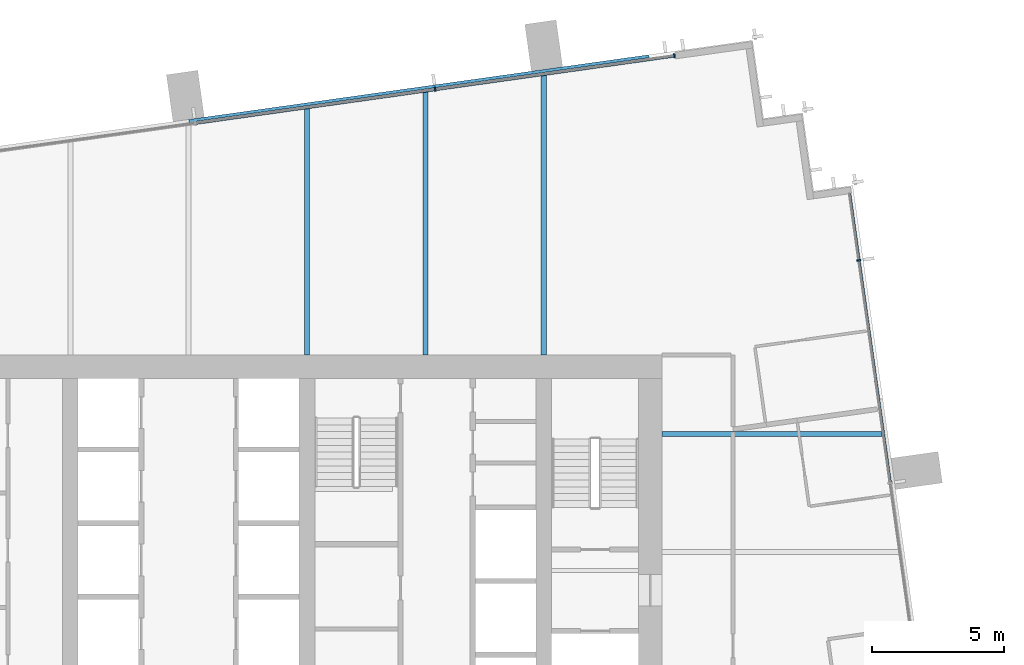
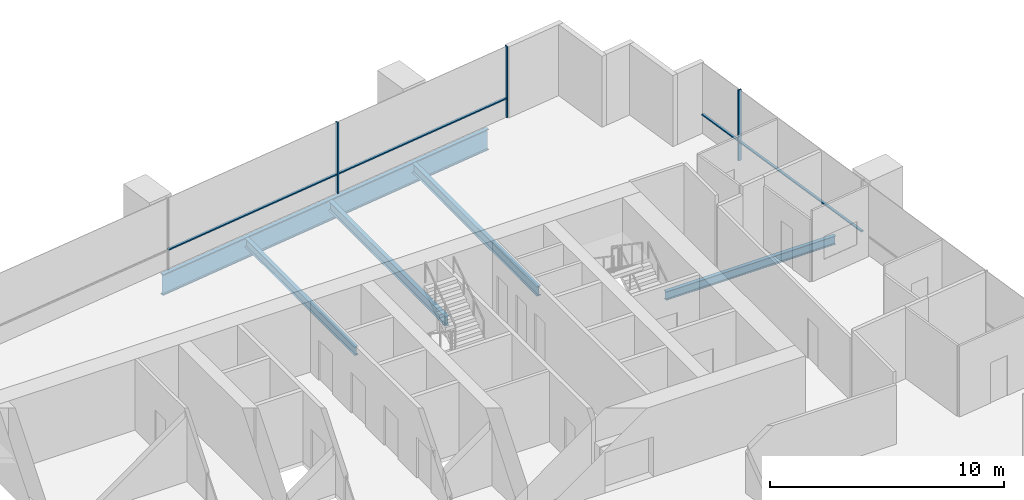
# One storey, part 7 of 14: 7 members, 5 beams, 2 elements without a shape of their own.
"""IFC4 building model written with IfcOpenShell, lengths in metres."""

from ifc_helpers import new_model, si_unit, direction, frame, origin, origin_2d, place, context, subcontext, project, spatial, rectangle, i_section, extrude, material, material_profile, profile_set, type_object, element, aggregate, save


model = new_model("IFC4")

# Units and contexts
model_context = context("Model", 3, precision=1e-05, world=origin(), true_north=direction((0.0, 1.0)))
body_context = subcontext(model_context, "Body", "Model", "MODEL_VIEW")
ifc_project = project(units=[si_unit("LENGTHUNIT", "METRE"), si_unit("AREAUNIT", "SQUARE_METRE"), si_unit("VOLUMEUNIT", "CUBIC_METRE"), si_unit("PLANEANGLEUNIT", "RADIAN"), si_unit("MASSUNIT", "GRAM", prefix="KILO")], contexts=[model_context])

# Site, building, storey
site_placement = place(None, origin())
site = spatial("IfcSite", under=ifc_project, at=site_placement, CompositionType="ELEMENT")
building_placement = place(site_placement, origin())
building = spatial("IfcBuilding", under=site, at=building_placement, Name="Rattan Terrace Tower", CompositionType="ELEMENT")
storey_placement = place(building_placement, frame((0.0, 0.0, 184.10009765625)))
storey = spatial("IfcBuildingStorey", under=building, at=storey_placement, Name="L42", CompositionType="ELEMENT", Elevation=184.10009765625)

# Curtain wall, member
ifc_material_1 = material(Name="Aluminium and glass", Category="aluminium")
curtain_wall_type = type_object("IfcCurtainWallType", Name="Facade Unitised Curtain Wall", PredefinedType="NOTDEFINED", material=ifc_material_1)
curtain_wall_1_placement = place(storey_placement, origin())
curtain_wall_1 = element("IfcCurtainWall", 1, at=curtain_wall_1_placement, inside=storey, type_object=curtain_wall_type, Name="Curtain wall L42-1", PredefinedType="NOTDEFINED")
ifc_material_2 = material(Name="Aluminium", Category="aluminium")
ifc_material_profile_1 = material_profile(ifc_material_2, rectangle(XDim=0.06005859375, YDim=0.159912109375, at=origin_2d()), Name="Aluminium 60x160")
ifc_profile_set_1 = profile_set([ifc_material_profile_1], Name="Aluminium")
member_type_1 = type_object("IfcMemberType", Name="Facade CW Mullion 60x160", PredefinedType="MULLION", material=ifc_profile_set_1)
member_1_placement = place(storey_placement, frame((25.477294921875, 11.092529296875, 0.0), z_axis=(0.0, 0.0, 1.0), x_axis=(-0.139190856006, 0.99026557327, 0.0)))
member_1 = element("IfcMember", 2, at=member_1_placement, type_object=member_type_1, Name="Mullion cwl-L42-001.4", PredefinedType="MULLION", context=body_context, shape_type="SweptSolid", body=[
    extrude(rectangle(XDim=0.06005859375, YDim=0.159912109375, at=origin_2d()), origin(), (0.0, 0.0, 1.0), 3.699951171875),
])

# Curtain wall, members
curtain_wall_2_placement = place(storey_placement, origin())
curtain_wall_2 = element("IfcCurtainWall", 3, at=curtain_wall_2_placement, inside=storey, type_object=curtain_wall_type, Name="Curtain wall L42-2", PredefinedType="NOTDEFINED")
member_2_placement = place(storey_placement, frame((18.467041015625, 18.87255859375, 0.0), z_axis=(0.0, 0.0, 1.0), x_axis=(-0.990269702686, -0.139161474347, 0.0)))
member_2 = element("IfcMember", 4, at=member_2_placement, type_object=member_type_1, Name="Mullion cwl-L42-002.1", PredefinedType="MULLION", context=body_context, shape_type="SweptSolid", body=[
    extrude(rectangle(XDim=0.06005859375, YDim=0.159912109375, at=origin_2d()), origin(), (0.0, 0.0, 1.0), 3.699951171875),
])
member_3_placement = place(storey_placement, frame((9.373291015625, 17.594482421875, 0.0), z_axis=(0.0, 0.0, 1.0), x_axis=(-0.990269702686, -0.139161474347, 0.0)))
member_3 = element("IfcMember", 5, at=member_3_placement, type_object=member_type_1, Name="Mullion cwl-L42-002.2", PredefinedType="MULLION", context=body_context, shape_type="SweptSolid", body=[
    extrude(rectangle(XDim=0.06005859375, YDim=0.159912109375, at=origin_2d()), origin(), (0.0, 0.0, 1.0), 3.699951171875),
])

# Member
ifc_material_3 = material(Name="Aluminium", Category="aluminium")
ifc_material_profile_2 = material_profile(ifc_material_3, rectangle(XDim=0.1201171875, YDim=0.06005859375, at=origin_2d()), Name="Aluminium 120x60")
ifc_profile_set_2 = profile_set([ifc_material_profile_2], Name="Aluminium")
member_type_2 = type_object("IfcMemberType", Name="Facade CW Transom 120x60", PredefinedType="USERDEFINED", material=ifc_profile_set_2)
member_4_placement = place(storey_placement, frame((26.663330078125, 2.655517578125, 1.0), z_axis=(-0.139178607515, 0.99026729483, 0.0), x_axis=(-0.99026729483, -0.139178607515, 0.0)))
member_4 = element("IfcMember", 6, at=member_4_placement, type_object=member_type_2, Name="Transom cwl-L42-001.3", ObjectType="TRANSOM", PredefinedType="USERDEFINED", context=body_context, shape_type="SweptSolid", body=[
    extrude(rectangle(XDim=0.1201171875, YDim=0.06005859375, at=origin_2d()), origin(), (0.0, 0.0, 1.0), 8.489990234375),
])

member_5_placement = place(storey_placement, frame((25.47314453125, 11.122314453125, 1.0), z_axis=(-0.139106713562, 0.990277396613, 0.0), x_axis=(-0.990277396613, -0.139106713562, 0.0)))
member_5 = element("IfcMember", 7, at=member_5_placement, type_object=member_type_2, Name="Transom cwl-L42-001.4", ObjectType="TRANSOM", PredefinedType="USERDEFINED", context=body_context, shape_type="SweptSolid", body=[
    extrude(rectangle(XDim=0.1201171875, YDim=0.06005859375, at=origin_2d()), origin(), (0.0, 0.0, 1.0), 2.525634765625),
])

aggregate(curtain_wall_1, [member_1, member_4, member_5])

member_6_placement = place(storey_placement, frame((18.437255859375, 18.868408203125, 1.0), z_axis=(-0.990266494002, -0.139184305354, 0.0), x_axis=(0.139184305354, -0.990266494002, 0.0)))
member_6 = element("IfcMember", 8, at=member_6_placement, type_object=member_type_2, Name="Transom cwl-L42-002.1", ObjectType="TRANSOM", PredefinedType="USERDEFINED", context=body_context, shape_type="SweptSolid", body=[
    extrude(rectangle(XDim=0.1201171875, YDim=0.06005859375, at=origin_2d()), origin(), (0.0, 0.0, 1.0), 9.123046875),
])

member_7_placement = place(storey_placement, frame((9.343505859375, 17.59033203125, 1.0), z_axis=(-0.990270711765, -0.139154293575, 0.0), x_axis=(0.139154293575, -0.990270711765, 0.0)))
member_7 = element("IfcMember", 9, at=member_7_placement, type_object=member_type_2, Name="Transom cwl-L42-002.2", ObjectType="TRANSOM", PredefinedType="USERDEFINED", context=body_context, shape_type="SweptSolid", body=[
    extrude(rectangle(XDim=0.1201171875, YDim=0.06005859375, at=origin_2d()), origin(), (0.0, 0.0, 1.0), 9.153076171875),
])

aggregate(curtain_wall_2, [member_2, member_3, member_6, member_7])

# Beams
ifc_material_4 = material(Name="Steel S460", Category="steel")
ifc_material_profile_3 = material_profile(ifc_material_4, i_section(OverallWidth=0.179931640625, OverallDepth=1.10009765625, WebThickness=0.01611328125, FlangeThickness=0.050048828125, at=origin_2d()), Name="PG 1100x180-16-50")
ifc_profile_set_3 = profile_set([ifc_material_profile_3], Name="Steel S460")
beam_type_1 = type_object("IfcBeamType", Name="Frame edge girder PG 1100x180-16-50", PredefinedType="SPANDREL", material=ifc_profile_set_3)
beam_1_placement = place(storey_placement, frame((17.4990234375, 18.818115234375, -0.75), z_axis=(-0.990264173921, -0.139200811234, 0.0), x_axis=(0.139200811234, -0.990264173921, 0.0)))
element("IfcBeam", 10, at=beam_1_placement, inside=storey, type_object=beam_type_1, Name="gdr-L42-007", PredefinedType="SPANDREL", context=body_context, shape_type="SweptSolid", body=[
    extrude(i_section(OverallWidth=0.179931640625, OverallDepth=1.10009765625, WebThickness=0.01611328125, FlangeThickness=0.050048828125, at=origin_2d()), origin(), (0.0, 0.0, 1.0), 17.657958984375),
])
ifc_material_5 = material(Name="Steel S355", Category="steel")
ifc_material_profile_4 = material_profile(ifc_material_5, i_section(OverallWidth=0.18994140625, OverallDepth=0.449951171875, WebThickness=0.009521484375, FlangeThickness=0.0146484375, FilletRadius=0.02099609375, at=origin_2d()), Name="IPE 450")
ifc_profile_set_4 = profile_set([ifc_material_profile_4], Name="Steel S355")
beam_type_2 = type_object("IfcBeamType", Name="Frame floor beam IPE 450", PredefinedType="JOIST", material=ifc_profile_set_4)
beam_2_placement = place(storey_placement, frame((18.0, 4.5, -0.425048828125), z_axis=(1.0, 0.0, 0.0), x_axis=(0.0, 1.0, 0.0)))
element("IfcBeam", 11, at=beam_2_placement, inside=storey, type_object=beam_type_2, Name="bm-L42-015", PredefinedType="JOIST", context=body_context, shape_type="SweptSolid", body=[
    extrude(i_section(OverallWidth=0.18994140625, OverallDepth=0.449951171875, WebThickness=0.009521484375, FlangeThickness=0.0146484375, FilletRadius=0.02099609375, at=origin_2d()), origin(), (0.0, 0.0, 1.0), 8.381103515625),
])
beam_3_placement = place(storey_placement, frame((4.5, 7.5, -0.425048828125), z_axis=(0.0, 1.0, 0.0), x_axis=(-1.0, 0.0, 0.0)))
element("IfcBeam", 12, at=beam_3_placement, inside=storey, type_object=beam_type_2, Name="bm-L42-020", PredefinedType="JOIST", context=body_context, shape_type="SweptSolid", body=[
    extrude(i_section(OverallWidth=0.18994140625, OverallDepth=0.449951171875, WebThickness=0.009521484375, FlangeThickness=0.0146484375, FilletRadius=0.02099609375, at=origin_2d()), origin(), (0.0, 0.0, 1.0), 9.385986328125),
])
ifc_material_6 = material(Name="Steel S355", Category="steel")
ifc_material_profile_5 = material_profile(ifc_material_6, i_section(OverallWidth=0.199951171875, OverallDepth=0.5, WebThickness=0.01025390625, FlangeThickness=0.01611328125, FilletRadius=0.02099609375, at=origin_2d()), Name="IPE 500")
ifc_profile_set_5 = profile_set([ifc_material_profile_5], Name="Steel S355")
beam_type_3 = type_object("IfcBeamType", Name="Frame floor beam IPE 500", PredefinedType="JOIST", material=ifc_profile_set_5)
beam_4_placement = place(storey_placement, frame((9.0, 7.5, -0.4501953125), z_axis=(0.0, 1.0, 0.0), x_axis=(-1.0, 0.0, 0.0)))
element("IfcBeam", 13, at=beam_4_placement, inside=storey, type_object=beam_type_3, Name="bm-L42-021", PredefinedType="JOIST", context=body_context, shape_type="SweptSolid", body=[
    extrude(i_section(OverallWidth=0.199951171875, OverallDepth=0.5, WebThickness=0.01025390625, FlangeThickness=0.01611328125, FilletRadius=0.02099609375, at=origin_2d()), origin(), (0.0, 0.0, 1.0), 10.01806640625),
])
beam_5_placement = place(storey_placement, frame((13.5, 7.5, -0.4501953125), z_axis=(0.0, 1.0, 0.0), x_axis=(-1.0, 0.0, 0.0)))
element("IfcBeam", 14, at=beam_5_placement, inside=storey, type_object=beam_type_3, Name="bm-L42-022", PredefinedType="JOIST", context=body_context, shape_type="SweptSolid", body=[
    extrude(i_section(OverallWidth=0.199951171875, OverallDepth=0.5, WebThickness=0.01025390625, FlangeThickness=0.01611328125, FilletRadius=0.02099609375, at=origin_2d()), origin(), (0.0, 0.0, 1.0), 10.65087890625),
])

save(model, "model.ifc")
